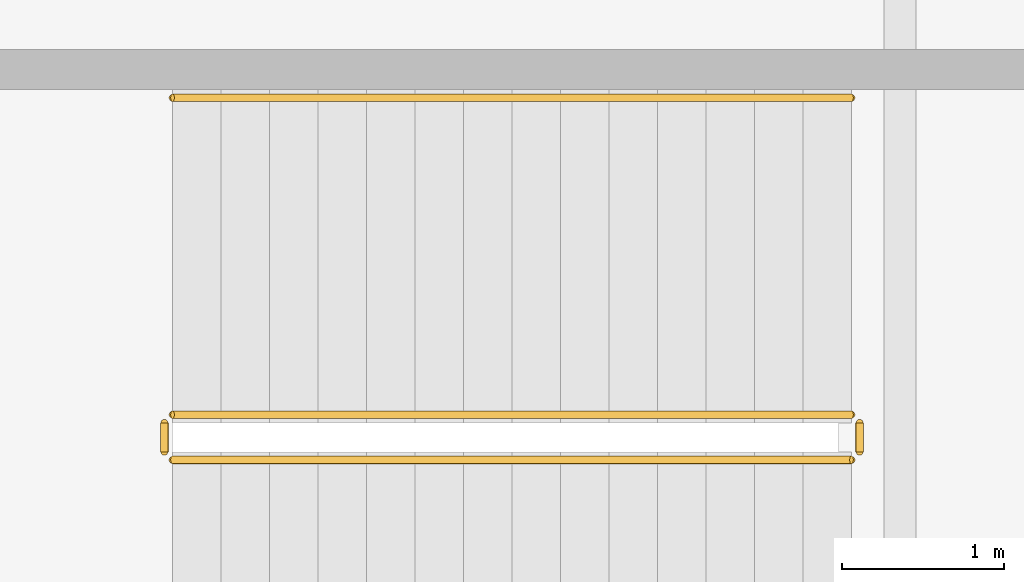
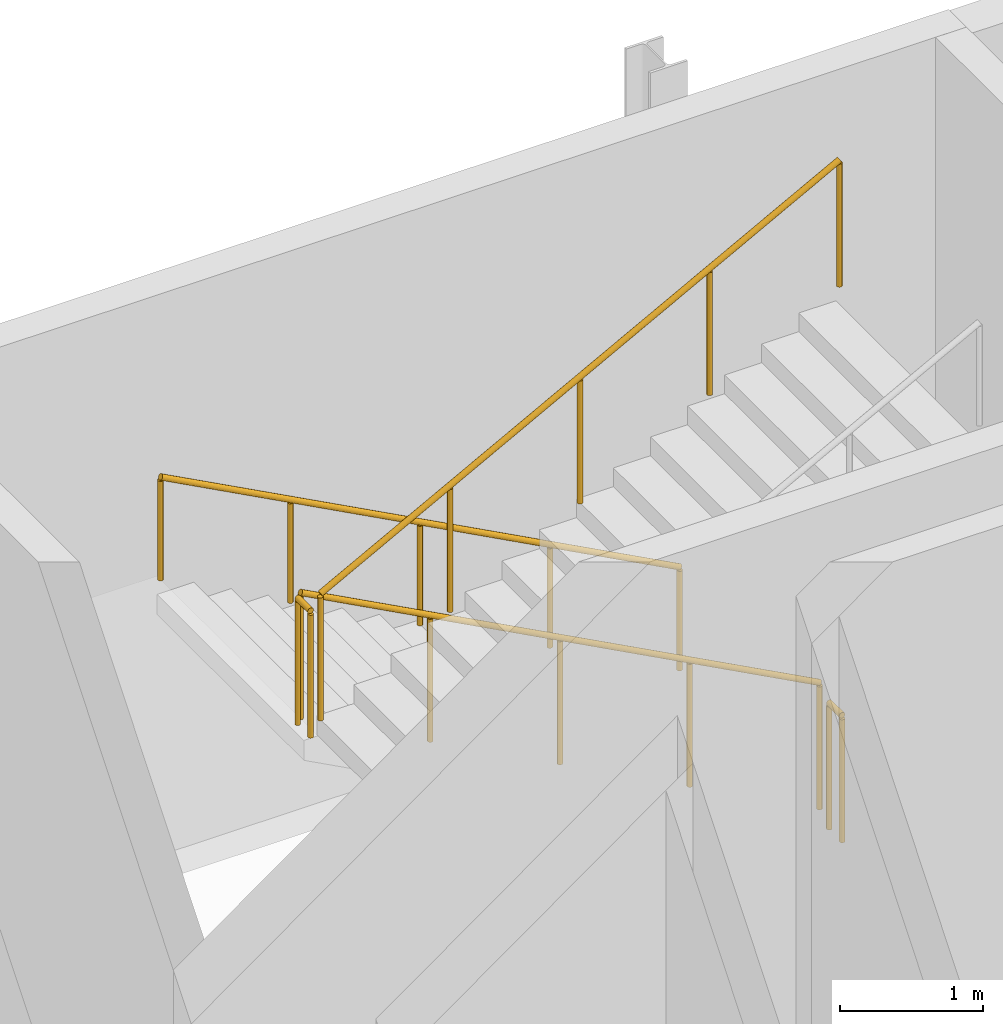
# One storey, part 139 of 143: 5 railings.
"""IFC4 building model written with IfcOpenShell, lengths in metres."""

from ifc_helpers import new_model, si_unit, derived_unit, direction, frame, origin, origin_2d, place, context, subcontext, project, spatial, circle, extrude, material, type_object, element, save


model = new_model("IFC4")

# Units and contexts
model_context = context("Model", 3, precision=1e-05, world=origin(), true_north=direction((0.0, 1.0)))
body_context = subcontext(model_context, "Body", "Model", "MODEL_VIEW")
ifc_project = project(units=[si_unit("LENGTHUNIT", "METRE"), si_unit("AREAUNIT", "SQUARE_METRE"), si_unit("VOLUMEUNIT", "CUBIC_METRE"), si_unit("PLANEANGLEUNIT", "RADIAN"), si_unit("MASSUNIT", "GRAM", prefix="KILO"), derived_unit("THERMALTRANSMITTANCEUNIT", [(si_unit("POWERUNIT", "WATT"), 1), (si_unit("LENGTHUNIT", "METRE"), -2), (si_unit("THERMODYNAMICTEMPERATUREUNIT", "KELVIN"), -1)])], contexts=[model_context])

# Site, building, storey
site_placement = place(None, origin())
site = spatial("IfcSite", under=ifc_project, at=site_placement, CompositionType="ELEMENT")
building_placement = place(site_placement, origin())
building = spatial("IfcBuilding", under=site, at=building_placement, Name="Keldorne Ridge Multi-Sports Centre", CompositionType="ELEMENT")
storey_placement = place(building_placement, frame((0.0, 0.0, 4.800048828125)))
storey = spatial("IfcBuildingStorey", under=building, at=storey_placement, Name="L01", CompositionType="ELEMENT", Elevation=4.800048828125)

# Railings
ifc_material_1 = material(Name="Laminated glass and stainless steel", Category="steel")
railing_type_1 = type_object("IfcRailingType", Name="RLG-BL-01", PredefinedType="BALUSTRADE", material=ifc_material_1)
railing_1_placement = place(storey_placement, frame((111.699951171875, 114.18994140625, 0.159912109375)))
element("IfcRailing", 1, at=railing_1_placement, inside=storey, type_object=railing_type_1, Name="L01 ST-01 stair guard 1", PredefinedType="BALUSTRADE", context=body_context, shape_type="SweptSolid", body=[
    extrude(circle(Radius=0.02392578125, at=origin_2d()), frame((0.0, 0.0, 1.076171875), z_axis=(-0.882351521365, 0.0, 0.470590897432), x_axis=(0.0, -1.0, 0.0)), (0.0, 0.0, 1.0), 4.760009765625),
    extrude(circle(Radius=0.02099609375, at=origin_2d()), origin(), (0.0, 0.0, 1.0), 1.052001953125),
    extrude(circle(Radius=0.02099609375, at=origin_2d()), frame((-1.050048828125, 0.0, 0.56005859375)), (0.0, 0.0, 1.0), 1.052001953125),
    extrude(circle(Radius=0.02099609375, at=origin_2d()), frame((-2.10009765625, 0.0, 1.1201171875)), (0.0, 0.0, 1.0), 1.052001953125),
    extrude(circle(Radius=0.02099609375, at=origin_2d()), frame((-3.14990234375, 0.0, 1.679931640625)), (0.0, 0.0, 1.0), 1.052001953125),
    extrude(circle(Radius=0.02099609375, at=origin_2d()), frame((-4.199951171875, 0.0, 2.239990234375)), (0.0, 0.0, 1.0), 1.052001953125),
])
railing_2_placement = place(storey_placement, frame((107.449951171875, 114.139892578125, 2.39990234375)))
element("IfcRailing", 2, at=railing_2_placement, inside=storey, type_object=railing_type_1, Name="L01 ST-01 stair guard 2", PredefinedType="BALUSTRADE", context=body_context, shape_type="SweptSolid", body=[
    extrude(circle(Radius=0.02392578125, at=origin_2d()), frame((0.0, 0.0, 1.076171875), z_axis=(0.0, -1.0, 0.0), x_axis=(1.0, 0.0, 0.0)), (0.0, 0.0, 1.0), 0.179931640625),
    extrude(circle(Radius=0.02099609375, at=origin_2d()), origin(), (0.0, 0.0, 1.0), 1.052001953125),
    extrude(circle(Radius=0.02099609375, at=origin_2d()), frame((0.0, -0.179931640625, 0.0)), (0.0, 0.0, 1.0), 1.052001953125),
])
railing_3_placement = place(storey_placement, frame((107.5, 113.909912109375, 2.56005859375)))
element("IfcRailing", 3, at=railing_3_placement, inside=storey, type_object=railing_type_1, Name="L01 ST-01 stair guard 3", PredefinedType="BALUSTRADE", context=body_context, shape_type="SweptSolid", body=[
    extrude(circle(Radius=0.02392578125, at=origin_2d()), frame((0.0, 0.0, 1.076171875), z_axis=(0.882351521365, 0.0, 0.470590897432), x_axis=(0.0, 1.0, 0.0)), (0.0, 0.0, 1.0), 4.760009765625),
    extrude(circle(Radius=0.02099609375, at=origin_2d()), origin(), (0.0, 0.0, 1.0), 1.052001953125),
    extrude(circle(Radius=0.02099609375, at=origin_2d()), frame((1.050048828125, 0.0, 0.56005859375)), (0.0, 0.0, 1.0), 1.052001953125),
    extrude(circle(Radius=0.02099609375, at=origin_2d()), frame((2.10009765625, 0.0, 1.1201171875)), (0.0, 0.0, 1.0), 1.052001953125),
    extrude(circle(Radius=0.02099609375, at=origin_2d()), frame((3.14990234375, 0.0, 1.679931640625)), (0.0, 0.0, 1.0), 1.052001953125),
    extrude(circle(Radius=0.02099609375, at=origin_2d()), frame((4.199951171875, 0.0, 2.239990234375)), (0.0, 0.0, 1.0), 1.052001953125),
])
railing_4_placement = place(storey_placement, frame((111.75, 114.139892578125, 0.0)))
element("IfcRailing", 4, at=railing_4_placement, inside=storey, type_object=railing_type_1, Name="L01 ST-01 stair guard 4", PredefinedType="BALUSTRADE", context=body_context, shape_type="SweptSolid", body=[
    extrude(circle(Radius=0.02392578125, at=origin_2d()), frame((0.0, 0.0, 1.076171875), z_axis=(0.0, -1.0, 0.0), x_axis=(1.0, 0.0, 0.0)), (0.0, 0.0, 1.0), 0.179931640625),
    extrude(circle(Radius=0.02099609375, at=origin_2d()), origin(), (0.0, 0.0, 1.0), 1.052001953125),
    extrude(circle(Radius=0.02099609375, at=origin_2d()), frame((0.0, -0.179931640625, 0.0)), (0.0, 0.0, 1.0), 1.052001953125),
])
ifc_material_2 = material(Name="Stainless steel", Category="steel")
railing_type_2 = type_object("IfcRailingType", Name="RLG-HR-01", PredefinedType="HANDRAIL", material=ifc_material_2)
railing_5_placement = place(storey_placement, frame((111.699951171875, 116.14990234375, 0.159912109375)))
element("IfcRailing", 5, at=railing_5_placement, inside=storey, type_object=railing_type_2, Name="L01 ST-01 stair handrail 1", PredefinedType="HANDRAIL", context=body_context, shape_type="SweptSolid", body=[
    extrude(circle(Radius=0.02392578125, at=origin_2d()), frame((0.0, 0.0, 0.8759765625), z_axis=(-0.882351521365, 0.0, 0.470590897432), x_axis=(0.0, -1.0, 0.0)), (0.0, 0.0, 1.0), 4.760009765625),
    extrude(circle(Radius=0.02099609375, at=origin_2d()), origin(), (0.0, 0.0, 1.0), 0.851806640625),
    extrude(circle(Radius=0.02099609375, at=origin_2d()), frame((-1.050048828125, 0.0, 0.56005859375)), (0.0, 0.0, 1.0), 0.851806640625),
    extrude(circle(Radius=0.02099609375, at=origin_2d()), frame((-2.10009765625, 0.0, 1.1201171875)), (0.0, 0.0, 1.0), 0.851806640625),
    extrude(circle(Radius=0.02099609375, at=origin_2d()), frame((-3.14990234375, 0.0, 1.679931640625)), (0.0, 0.0, 1.0), 0.851806640625),
    extrude(circle(Radius=0.02099609375, at=origin_2d()), frame((-4.199951171875, 0.0, 2.239990234375)), (0.0, 0.0, 1.0), 0.851806640625),
])

save(model, "model.ifc")
